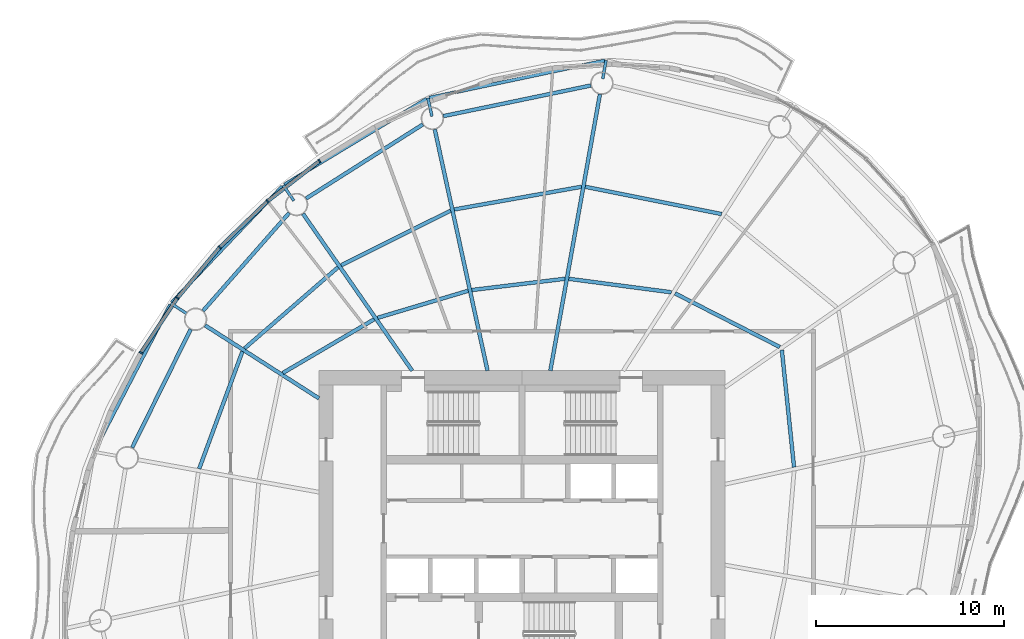
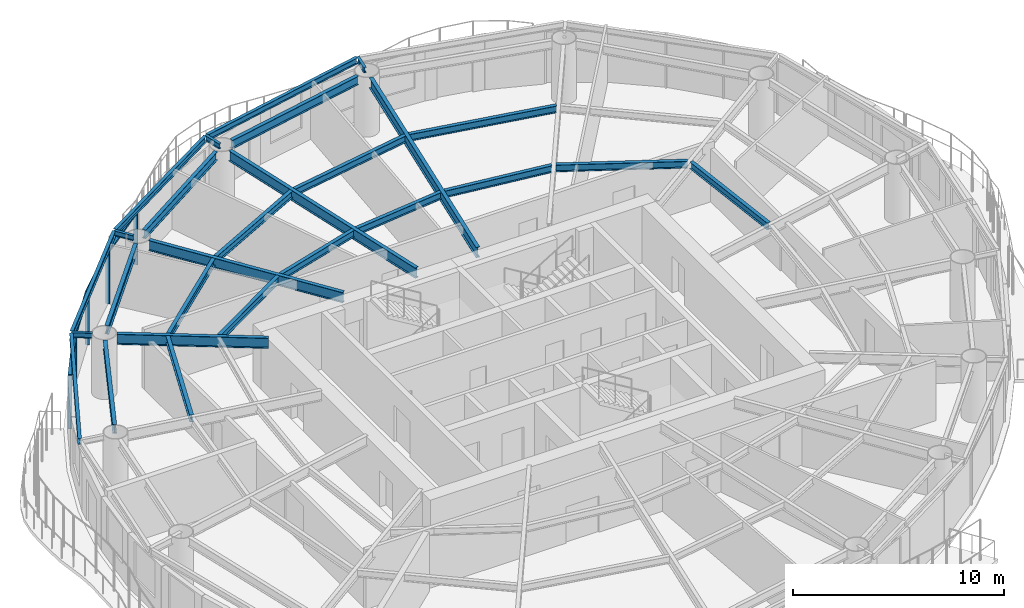
# One storey, part 5 of 15: 27 beams, 9 members, 4 elements without a shape of their own.
"""IFC4 building model written with IfcOpenShell, lengths in metres."""

from ifc_helpers import new_model, si_unit, direction, frame, origin, origin_2d, place, context, subcontext, project, spatial, rectangle, i_section, extrude, material, material_profile, profile_set, type_object, element, aggregate, save


model = new_model("IFC4")

# Units and contexts
model_context = context("Model", 3, precision=1e-05, world=origin(), true_north=direction((0.0, 1.0)))
body_context = subcontext(model_context, "Body", "Model", "MODEL_VIEW")
ifc_project = project(units=[si_unit("LENGTHUNIT", "METRE"), si_unit("AREAUNIT", "SQUARE_METRE"), si_unit("VOLUMEUNIT", "CUBIC_METRE"), si_unit("PLANEANGLEUNIT", "RADIAN"), si_unit("MASSUNIT", "GRAM", prefix="KILO")], contexts=[model_context])

# Site, building, storey
site_placement = place(None, origin())
site = spatial("IfcSite", under=ifc_project, at=site_placement, CompositionType="ELEMENT")
building_placement = place(site_placement, origin())
building = spatial("IfcBuilding", under=site, at=building_placement, Name="Vermilion Reach Broadcast Tower", CompositionType="ELEMENT")
storey_placement = place(building_placement, frame((0.0, 0.0, 220.89990234375)))
storey = spatial("IfcBuildingStorey", under=building, at=storey_placement, Name="L54", CompositionType="ELEMENT", Elevation=220.89990234375)

# Beams
ifc_material_1 = material(Name="Steel S355J2", Category="steel")
ifc_material_profile_1 = material_profile(ifc_material_1, i_section(OverallWidth=0.175048828125, OverallDepth=0.35009765625, WebThickness=0.007080078125, FlangeThickness=0.010986328125, at=origin_2d()), Name="S355J2 HN 350x175x7x11")
ifc_profile_set_1 = profile_set([ifc_material_profile_1], Name="Steel S355J2")
beam_type_1 = type_object("IfcBeamType", Name="EB4 HN 350x175x7x11", PredefinedType="BEAM", material=ifc_profile_set_1)
beam_1_placement = place(storey_placement, frame((-1.611083984375, 24.891357421875, 3.275146484375), z_axis=(-0.978274611943, -0.207313250006, 0.0), x_axis=(0.207313250006, -0.978274611943, 0.0)))
element("IfcBeam", 1, at=beam_1_placement, inside=storey, type_object=beam_type_1, Name="Edge beam EB4-02", PredefinedType="BEAM", context=body_context, shape_type="SweptSolid", body=[
    extrude(i_section(OverallWidth=0.175048828125, OverallDepth=0.35009765625, WebThickness=0.007080078125, FlangeThickness=0.010986328125, at=origin_2d()), origin(), (0.0, 0.0, 1.0), 9.5283203125),
])
beam_2_placement = place(storey_placement, frame((-11.073486328125, 22.859619140625, 3.275146484375), z_axis=(-0.85635221308, -0.516392183474, 0.0), x_axis=(0.516392183474, -0.85635221308, 0.0)))
element("IfcBeam", 2, at=beam_2_placement, inside=storey, type_object=beam_type_1, Name="Edge beam EB4-03", PredefinedType="BEAM", context=body_context, shape_type="SweptSolid", body=[
    extrude(i_section(OverallWidth=0.175048828125, OverallDepth=0.35009765625, WebThickness=0.007080078125, FlangeThickness=0.010986328125, at=origin_2d()), origin(), (0.0, 0.0, 1.0), 8.83544921875),
])
beam_3_placement = place(storey_placement, frame((-18.7568359375, 18.202880859375, 3.275146484375), z_axis=(-0.689417470557, -0.724364239378, 0.0), x_axis=(0.724364239378, -0.689417470557, 0.0)))
element("IfcBeam", 3, at=beam_3_placement, inside=storey, type_object=beam_type_1, Name="Edge beam EB4-04", PredefinedType="BEAM", context=body_context, shape_type="SweptSolid", body=[
    extrude(i_section(OverallWidth=0.175048828125, OverallDepth=0.35009765625, WebThickness=0.007080078125, FlangeThickness=0.010986328125, at=origin_2d()), origin(), (0.0, 0.0, 1.0), 8.51611328125),
])
beam_4_placement = place(storey_placement, frame((-24.71533203125, 11.912109375, 3.275146484375), z_axis=(-0.460485150678, -0.887667407313, 0.0), x_axis=(0.887667407313, -0.460485150678, 0.0)))
element("IfcBeam", 4, at=beam_4_placement, inside=storey, type_object=beam_type_1, Name="Edge beam EB4-05", PredefinedType="BEAM", context=body_context, shape_type="SweptSolid", body=[
    extrude(i_section(OverallWidth=0.175048828125, OverallDepth=0.35009765625, WebThickness=0.007080078125, FlangeThickness=0.010986328125, at=origin_2d()), origin(), (0.0, 0.0, 1.0), 8.738525390625),
])
ifc_material_2 = material(Name="Steel S355J2", Category="steel")
ifc_material_profile_2 = material_profile(ifc_material_2, i_section(OverallWidth=0.199951171875, OverallDepth=0.60009765625, WebThickness=0.010986328125, FlangeThickness=0.01708984375, at=origin_2d()), Name="S355J2 HN 600x200x11x17")
ifc_profile_set_2 = profile_set([ifc_material_profile_2], Name="Steel S355J2")
beam_type_2 = type_object("IfcBeamType", Name="G4 HN 600x200x11x17", PredefinedType="BEAM", material=ifc_profile_set_2)
beam_5_placement = place(storey_placement, frame((-4.4931640625, 8.39990234375, 3.150146484375), z_axis=(0.176574729047, 0.984287237072, 0.0), x_axis=(-0.984287237072, 0.176574729047, 0.0)))
element("IfcBeam", 5, at=beam_5_placement, inside=storey, type_object=beam_type_2, Name="Girder G4-02", PredefinedType="BEAM", context=body_context, shape_type="SweptSolid", body=[
    extrude(i_section(OverallWidth=0.199951171875, OverallDepth=0.60009765625, WebThickness=0.010986328125, FlangeThickness=0.01708984375, at=origin_2d()), origin(), (0.0, 0.0, 1.0), 14.935302734375),
])
beam_6_placement = place(storey_placement, frame((-7.836181640625, 8.39990234375, 3.150146484375), z_axis=(-0.213538346548, 0.976934682849, 0.0), x_axis=(-0.976934682849, -0.213538346548, 0.0)))
element("IfcBeam", 6, at=beam_6_placement, inside=storey, type_object=beam_type_2, Name="Girder G4-03", PredefinedType="BEAM", context=body_context, shape_type="SweptSolid", body=[
    extrude(i_section(OverallWidth=0.199951171875, OverallDepth=0.60009765625, WebThickness=0.010986328125, FlangeThickness=0.01708984375, at=origin_2d()), origin(), (0.0, 0.0, 1.0), 13.135498046875),
])
beam_7_placement = place(storey_placement, frame((-11.8447265625, 8.39990234375, 3.150146484375), z_axis=(-0.571134149017, 0.8208567377, 0.0), x_axis=(-0.8208567377, -0.571134149017, 0.0)))
element("IfcBeam", 7, at=beam_7_placement, inside=storey, type_object=beam_type_2, Name="Girder G4-04", PredefinedType="BEAM", context=body_context, shape_type="SweptSolid", body=[
    extrude(i_section(OverallWidth=0.199951171875, OverallDepth=0.60009765625, WebThickness=0.010986328125, FlangeThickness=0.01708984375, at=origin_2d()), origin(), (0.0, 0.0, 1.0), 10.16552734375),
])
beam_8_placement = place(storey_placement, frame((-16.800048828125, 6.925537109375, 3.150146484375), z_axis=(-0.841798504642, 0.539791883584, 0.0), x_axis=(-0.539791883584, -0.841798504642, 0.0)))
element("IfcBeam", 8, at=beam_8_placement, inside=storey, type_object=beam_type_2, Name="Girder G4-05", PredefinedType="BEAM", context=body_context, shape_type="SweptSolid", body=[
    extrude(i_section(OverallWidth=0.199951171875, OverallDepth=0.60009765625, WebThickness=0.010986328125, FlangeThickness=0.01708984375, at=origin_2d()), origin(), (0.0, 0.0, 1.0), 7.1962890625),
])
ifc_material_3 = material(Name="Steel S355J2", Category="steel")
ifc_material_profile_3 = material_profile(ifc_material_3, i_section(OverallWidth=0.14990234375, OverallDepth=0.300048828125, WebThickness=0.006591796875, FlangeThickness=0.009033203125, at=origin_2d()), Name="S355J2 HN 300x150x6.5x9")
ifc_profile_set_3 = profile_set([ifc_material_profile_3], Name="Steel S355J2")
beam_type_3 = type_object("IfcBeamType", Name="GS4 HN 300x150x6.5x9", PredefinedType="BEAM", material=ifc_profile_set_3)
beam_9_placement = place(storey_placement, frame((-1.708251953125, 23.923828125, 3.300048828125), z_axis=(0.176500327456, 0.984300581331, 0.0), x_axis=(-0.984300581331, 0.176500327456, 0.0)))
element("IfcBeam", 9, at=beam_9_placement, inside=storey, type_object=beam_type_3, Name="Cantilever stub GS4-02", PredefinedType="BEAM", context=body_context, shape_type="SweptSolid", body=[
    extrude(i_section(OverallWidth=0.14990234375, OverallDepth=0.300048828125, WebThickness=0.006591796875, FlangeThickness=0.009033203125, at=origin_2d()), origin(), (0.0, 0.0, 1.0), 1.0),
])
beam_10_placement = place(storey_placement, frame((-10.792236328125, 21.923583984375, 3.300048828125), z_axis=(-0.213412866055, 0.976962101927, 0.0), x_axis=(-0.976962101927, -0.213412866055, 0.0)))
element("IfcBeam", 10, at=beam_10_placement, inside=storey, type_object=beam_type_3, Name="Cantilever stub GS4-03", PredefinedType="BEAM", context=body_context, shape_type="SweptSolid", body=[
    extrude(i_section(OverallWidth=0.14990234375, OverallDepth=0.300048828125, WebThickness=0.006591796875, FlangeThickness=0.009033203125, at=origin_2d()), origin(), (0.0, 0.0, 1.0), 0.999755859375),
])
for number, where, z_axis, x_axis, name in (
    (11, (-18.1328125, 17.4375, 3.300048828125), (-0.571264751294, 0.820765852073, 0.0), (-0.820765852073, -0.571264751294, 0.0), "Cantilever stub GS4-04"),
    (12, (-23.8388671875, 11.439208984375, 3.300048828125), (-0.841796649213, 0.539794777091, 0.0), (-0.539794777091, -0.841796649213, 0.0), "Cantilever stub GS4-05"),
):
    element("IfcBeam", number, at=place(storey_placement, frame(where, z_axis=z_axis, x_axis=x_axis)), inside=storey, type_object=beam_type_3, Name=name, PredefinedType="BEAM", context=body_context, shape_type="SweptSolid", body=[
        extrude(i_section(OverallWidth=0.14990234375, OverallDepth=0.300048828125, WebThickness=0.006591796875, FlangeThickness=0.009033203125, at=origin_2d()), origin(), (0.0, 0.0, 1.0), 1.0),
    ])
ifc_material_4 = material(Name="Steel S355J2", Category="steel")
ifc_material_profile_4 = material_profile(ifc_material_4, i_section(OverallWidth=0.199951171875, OverallDepth=0.5, WebThickness=0.010009765625, FlangeThickness=0.01611328125, at=origin_2d()), Name="S355J2 HN 500x200x10x16")
ifc_profile_set_4 = profile_set([ifc_material_profile_4], Name="Steel S355J2")
beam_type_4 = type_object("IfcBeamType", Name="RB4 HN 500x200x10x16", PredefinedType="BEAM", material=ifc_profile_set_4)
beam_11_placement = place(storey_placement, frame((-2.337646484375, 23.569091796875, 3.2001953125), z_axis=(-0.97912342484, -0.203266620302, 0.0), x_axis=(0.203266620302, -0.97912342484, 0.0)))
element("IfcBeam", 13, at=beam_11_placement, inside=storey, type_object=beam_type_4, Name="Ring beam RB4-02", PredefinedType="BEAM", context=body_context, shape_type="SweptSolid", body=[
    extrude(i_section(OverallWidth=0.199951171875, OverallDepth=0.5, WebThickness=0.010009765625, FlangeThickness=0.01611328125, at=origin_2d()), origin(), (0.0, 0.0, 1.0), 8.01123046875),
])
beam_12_placement = place(storey_placement, frame((-11.27587890625, 21.497314453125, 3.2001953125), z_axis=(-0.84446426774, -0.535611893549, 0.0), x_axis=(0.535611893549, -0.84446426774, 0.0)))
element("IfcBeam", 14, at=beam_12_placement, inside=storey, type_object=beam_type_4, Name="Ring beam RB4-03", PredefinedType="BEAM", context=body_context, shape_type="SweptSolid", body=[
    extrude(i_section(OverallWidth=0.199951171875, OverallDepth=0.5, WebThickness=0.010009765625, FlangeThickness=0.01611328125, at=origin_2d()), origin(), (0.0, 0.0, 1.0), 7.3544921875),
])
beam_13_placement = place(storey_placement, frame((-18.3896484375, 16.786376953125, 3.2001953125), z_axis=(-0.660565141761, -0.750768735024, 0.0), x_axis=(0.750768735024, -0.660565141761, 0.0)))
element("IfcBeam", 15, at=beam_13_placement, inside=storey, type_object=beam_type_4, Name="Ring beam RB4-04", PredefinedType="BEAM", context=body_context, shape_type="SweptSolid", body=[
    extrude(i_section(OverallWidth=0.199951171875, OverallDepth=0.5, WebThickness=0.010009765625, FlangeThickness=0.01611328125, at=origin_2d()), origin(), (0.0, 0.0, 1.0), 6.9287109375),
])
beam_14_placement = place(storey_placement, frame((-23.628662109375, 10.595947265625, 3.2001953125), z_axis=(-0.442977497199, -0.896532730566, 0.0), x_axis=(0.896532730566, -0.442977497199, 0.0)))
element("IfcBeam", 16, at=beam_14_placement, inside=storey, type_object=beam_type_4, Name="Ring beam RB4-05", PredefinedType="BEAM", context=body_context, shape_type="SweptSolid", body=[
    extrude(i_section(OverallWidth=0.199951171875, OverallDepth=0.5, WebThickness=0.010009765625, FlangeThickness=0.01611328125, at=origin_2d()), origin(), (0.0, 0.0, 1.0), 7.0166015625),
])
ifc_material_5 = material(Name="Steel S355J2", Category="steel")
ifc_material_profile_5 = material_profile(ifc_material_5, i_section(OverallWidth=0.199951171875, OverallDepth=0.39990234375, WebThickness=0.008056640625, FlangeThickness=0.012939453125, at=origin_2d()), Name="S355J2 HN 400x200x8x13")
ifc_profile_set_5 = profile_set([ifc_material_profile_5], Name="Steel S355J2")
beam_type_5 = type_object("IfcBeamType", Name="SB4 HN 400x200x8x13", PredefinedType="BEAM", material=ifc_profile_set_5)
beam_15_placement = place(storey_placement, frame((1.94140625, 12.5693359375, 3.25), z_axis=(-0.991458070019, 0.130425823341, 0.0), x_axis=(-0.130425823341, -0.991458070019, 0.0)))
element("IfcBeam", 17, at=beam_15_placement, inside=storey, type_object=beam_type_5, Name="Secondary beam SB4-01-1", PredefinedType="BEAM", context=body_context, shape_type="SweptSolid", body=[
    extrude(i_section(OverallWidth=0.199951171875, OverallDepth=0.39990234375, WebThickness=0.008056640625, FlangeThickness=0.012939453125, at=origin_2d()), origin(), (0.0, 0.0, 1.0), 5.50341796875),
])
beam_16_placement = place(storey_placement, frame((4.60986328125, 16.73095703125, 3.25), z_axis=(-0.9805717807, 0.196160604851, 0.0), x_axis=(-0.196160604851, -0.9805717807, 0.0)))
element("IfcBeam", 18, at=beam_16_placement, inside=storey, type_object=beam_type_5, Name="Secondary beam SB4-01-2", PredefinedType="BEAM", context=body_context, shape_type="SweptSolid", body=[
    extrude(i_section(OverallWidth=0.199951171875, OverallDepth=0.39990234375, WebThickness=0.008056640625, FlangeThickness=0.012939453125, at=origin_2d()), origin(), (0.0, 0.0, 1.0), 7.390380859375),
])
beam_17_placement = place(storey_placement, frame((-3.718017578125, 13.28759765625, 3.25), z_axis=(-0.99278788328, -0.119884189168, 0.0), x_axis=(0.119884189168, -0.99278788328, 0.0)))
element("IfcBeam", 19, at=beam_17_placement, inside=storey, type_object=beam_type_5, Name="Secondary beam SB4-02-1", PredefinedType="BEAM", context=body_context, shape_type="SweptSolid", body=[
    extrude(i_section(OverallWidth=0.199951171875, OverallDepth=0.39990234375, WebThickness=0.008056640625, FlangeThickness=0.012939453125, at=origin_2d()), origin(), (0.0, 0.0, 1.0), 4.9892578125),
])
beam_18_placement = place(storey_placement, frame((-2.840087890625, 18.181640625, 3.25), z_axis=(-0.984415281892, -0.175859468829, 0.0), x_axis=(0.175859468829, -0.984415281892, 0.0)))
element("IfcBeam", 20, at=beam_18_placement, inside=storey, type_object=beam_type_5, Name="Secondary beam SB4-02-2", PredefinedType="BEAM", context=body_context, shape_type="SweptSolid", body=[
    extrude(i_section(OverallWidth=0.199951171875, OverallDepth=0.39990234375, WebThickness=0.008056640625, FlangeThickness=0.012939453125, at=origin_2d()), origin(), (0.0, 0.0, 1.0), 6.874755859375),
])
beam_19_placement = place(storey_placement, frame((-8.8671875, 12.64892578125, 3.25), z_axis=(-0.958173460215, -0.28618808525, 0.0), x_axis=(0.28618808525, -0.958173460215, 0.0)))
element("IfcBeam", 21, at=beam_19_placement, inside=storey, type_object=beam_type_5, Name="Secondary beam SB4-03-1", PredefinedType="BEAM", context=body_context, shape_type="SweptSolid", body=[
    extrude(i_section(OverallWidth=0.199951171875, OverallDepth=0.39990234375, WebThickness=0.008056640625, FlangeThickness=0.012939453125, at=origin_2d()), origin(), (0.0, 0.0, 1.0), 5.02197265625),
])
beam_20_placement = place(storey_placement, frame((-9.79833984375, 16.908935546875, 3.25), z_axis=(-0.895183615542, -0.445697536974, 0.0), x_axis=(0.445697536974, -0.895183615542, 0.0)))
element("IfcBeam", 22, at=beam_20_placement, inside=storey, type_object=beam_type_5, Name="Secondary beam SB4-03-2", PredefinedType="BEAM", context=body_context, shape_type="SweptSolid", body=[
    extrude(i_section(OverallWidth=0.199951171875, OverallDepth=0.39990234375, WebThickness=0.008056640625, FlangeThickness=0.012939453125, at=origin_2d()), origin(), (0.0, 0.0, 1.0), 6.508544921875),
])
beam_21_placement = place(storey_placement, frame((-13.866455078125, 11.130615234375, 3.25), z_axis=(-0.862172572268, -0.506614701356, 0.0), x_axis=(0.506614701356, -0.862172572268, 0.0)))
element("IfcBeam", 23, at=beam_21_placement, inside=storey, type_object=beam_type_5, Name="Secondary beam SB4-04-1", PredefinedType="BEAM", context=body_context, shape_type="SweptSolid", body=[
    extrude(i_section(OverallWidth=0.199951171875, OverallDepth=0.39990234375, WebThickness=0.008056640625, FlangeThickness=0.012939453125, at=origin_2d()), origin(), (0.0, 0.0, 1.0), 5.632568359375),
])
beam_22_placement = place(storey_placement, frame((-15.791259765625, 13.89697265625, 3.25), z_axis=(-0.755129308567, -0.655575874589, 0.0), x_axis=(0.655575874589, -0.755129308567, 0.0)))
element("IfcBeam", 24, at=beam_22_placement, inside=storey, type_object=beam_type_5, Name="Secondary beam SB4-04-2", PredefinedType="BEAM", context=body_context, shape_type="SweptSolid", body=[
    extrude(i_section(OverallWidth=0.199951171875, OverallDepth=0.39990234375, WebThickness=0.008056640625, FlangeThickness=0.012939453125, at=origin_2d()), origin(), (0.0, 0.0, 1.0), 6.57958984375),
])
beam_23_placement = place(storey_placement, frame((-20.8740234375, 9.419189453125, 3.25), z_axis=(-0.345833008621, -0.938296078084, 0.0), x_axis=(0.938296078084, -0.345833008621, 0.0)))
element("IfcBeam", 25, at=beam_23_placement, inside=storey, type_object=beam_type_5, Name="Secondary beam SB4-05-2", PredefinedType="BEAM", context=body_context, shape_type="SweptSolid", body=[
    extrude(i_section(OverallWidth=0.199951171875, OverallDepth=0.39990234375, WebThickness=0.008056640625, FlangeThickness=0.012939453125, at=origin_2d()), origin(), (0.0, 0.0, 1.0), 6.647216796875),
])
beam_24_placement = place(storey_placement, frame((8.46875, 3.264892578125, 3.25), z_axis=(-0.103532173355, 0.994626105167, 0.0), x_axis=(-0.994626105167, -0.103532173355, 0.0)))
element("IfcBeam", 26, at=beam_24_placement, inside=storey, type_object=beam_type_5, Name="Secondary beam SB4-15-1", PredefinedType="BEAM", context=body_context, shape_type="SweptSolid", body=[
    extrude(i_section(OverallWidth=0.199951171875, OverallDepth=0.39990234375, WebThickness=0.008056640625, FlangeThickness=0.012939453125, at=origin_2d()), origin(), (0.0, 0.0, 1.0), 6.26318359375),
])
beam_25_placement = place(storey_placement, frame((7.707763671875, 9.659423828125, 3.25), z_axis=(-0.89015575218, 0.455656380249, 0.0), x_axis=(-0.455656380249, -0.89015575218, 0.0)))
element("IfcBeam", 27, at=beam_25_placement, inside=storey, type_object=beam_type_5, Name="Secondary beam SB4-16-1", PredefinedType="BEAM", context=body_context, shape_type="SweptSolid", body=[
    extrude(i_section(OverallWidth=0.199951171875, OverallDepth=0.39990234375, WebThickness=0.008056640625, FlangeThickness=0.012939453125, at=origin_2d()), origin(), (0.0, 0.0, 1.0), 6.25439453125),
])

# Curtain wall, member
ifc_material_6 = material(Name="Low-e laminated clear glass in aluminium frame", Category="aluminium")
curtain_wall_type = type_object("IfcCurtainWallType", Name="Slot curtain wall", PredefinedType="NOTDEFINED", material=ifc_material_6)
placement = place(storey_placement, origin())
curtain_wall_1 = element("IfcCurtainWall", 28, at=placement, inside=storey, type_object=curtain_wall_type, Name="Slot curtain wall L54 10", PredefinedType="NOTDEFINED")
ifc_material_7 = material(Name="Anodised aluminium", Category="aluminium")
ifc_material_profile_6 = material_profile(ifc_material_7, rectangle(XDim=0.199951171875, YDim=0.080078125, at=origin_2d()), Name="Slot mullion 80 x 200")
ifc_profile_set_6 = profile_set([ifc_material_profile_6], Name="Anodised aluminium")
member_type_1 = type_object("IfcMemberType", Name="Slot mullion 80 x 200", PredefinedType="MULLION", material=ifc_profile_set_6)
member_1_placement = place(storey_placement, frame((-16.773681640625, 19.552001953125, 0.0), z_axis=(0.0, 0.0, 1.0), x_axis=(0.56840400229, -0.822749591419, 0.0)))
member_1 = element("IfcMember", 29, at=member_1_placement, type_object=member_type_1, Name="Slot mullion L54 10", PredefinedType="MULLION", context=body_context, shape_type="SweptSolid", body=[
    extrude(rectangle(XDim=0.199951171875, YDim=0.080078125, at=origin_2d()), origin(), (0.0, 0.0, 1.0), 3.10009765625),
])

curtain_wall_2 = element("IfcCurtainWall", 30, at=placement, inside=storey, type_object=curtain_wall_type, Name="Slot curtain wall L54 11", PredefinedType="NOTDEFINED")
member_2_placement = place(storey_placement, frame((-19.53857421875, 17.408447265625, 0.0), z_axis=(0.0, 0.0, 1.0), x_axis=(0.654398669834, -0.756149708007, 0.0)))
member_2 = element("IfcMember", 31, at=member_2_placement, type_object=member_type_1, Name="Slot mullion L54 11", PredefinedType="MULLION", context=body_context, shape_type="SweptSolid", body=[
    extrude(rectangle(XDim=0.199951171875, YDim=0.080078125, at=origin_2d()), origin(), (0.0, 0.0, 1.0), 3.10009765625),
])

curtain_wall_3 = element("IfcCurtainWall", 32, at=placement, inside=storey, type_object=curtain_wall_type, Name="Slot curtain wall L54 12", PredefinedType="NOTDEFINED")
member_3_placement = place(storey_placement, frame((-22.0712890625, 14.9658203125, 0.0), z_axis=(0.0, 0.0, 1.0), x_axis=(0.731829657842, -0.681487602164, 0.0)))
member_3 = element("IfcMember", 33, at=member_3_placement, type_object=member_type_1, Name="Slot mullion L54 12", PredefinedType="MULLION", context=body_context, shape_type="SweptSolid", body=[
    extrude(rectangle(XDim=0.199951171875, YDim=0.080078125, at=origin_2d()), origin(), (0.0, 0.0, 1.0), 3.10009765625),
])

# Curtain wall, members
curtain_wall_4 = element("IfcCurtainWall", 34, at=placement, inside=storey, type_object=curtain_wall_type, Name="Slot curtain wall L54 13", PredefinedType="NOTDEFINED")
member_4_placement = place(storey_placement, frame((-24.32763671875, 12.265869140625, 0.0), z_axis=(0.0, 0.0, 1.0), x_axis=(0.800793288516, -0.598940822675, 0.0)))
member_4 = element("IfcMember", 35, at=member_4_placement, type_object=member_type_1, Name="Slot mullion L54 13", PredefinedType="MULLION", context=body_context, shape_type="SweptSolid", body=[
    extrude(rectangle(XDim=0.199951171875, YDim=0.080078125, at=origin_2d()), origin(), (0.0, 0.0, 1.0), 3.10009765625),
])
member_5_placement = place(storey_placement, frame((-26.268798828125, 9.355224609375, 0.0), z_axis=(0.0, 0.0, 1.0), x_axis=(0.861106014794, -0.508425443193, 0.0)))
member_5 = element("IfcMember", 36, at=member_5_placement, type_object=member_type_1, Name="Slot mullion L54 14", PredefinedType="MULLION", context=body_context, shape_type="SweptSolid", body=[
    extrude(rectangle(XDim=0.199951171875, YDim=0.080078125, at=origin_2d()), origin(), (0.0, 0.0, 1.0), 3.10009765625),
])

# Member
ifc_material_8 = material(Name="Anodised aluminium", Category="aluminium")
ifc_material_profile_7 = material_profile(ifc_material_8, rectangle(XDim=0.199951171875, YDim=0.10009765625, at=origin_2d()), Name="Slot transom 200 x 100")
ifc_profile_set_7 = profile_set([ifc_material_profile_7], Name="Anodised aluminium")
member_type_2 = type_object("IfcMemberType", Name="Slot transom 200 x 100", PredefinedType="USERDEFINED", material=ifc_profile_set_7)
member_6_placement = place(storey_placement, frame((-16.80517578125, 19.52734375, 3.050048828125), z_axis=(-0.790343297717, -0.612664240636, 0.0), x_axis=(0.612664240636, -0.790343297717, 0.0)))
member_6 = element("IfcMember", 37, at=member_6_placement, type_object=member_type_2, Name="Slot transom L54 10.1", ObjectType="TRANSOM", PredefinedType="USERDEFINED", context=body_context, shape_type="SweptSolid", body=[
    extrude(rectangle(XDim=0.199951171875, YDim=0.10009765625, at=origin_2d()), origin(), (0.0, 0.0, 1.0), 3.418701171875),
])

aggregate(curtain_wall_1, [member_1, member_6])

member_7_placement = place(storey_placement, frame((-19.5673828125, 17.380615234375, 3.050048828125), z_axis=(-0.719770807051, -0.694211772672, 0.0), x_axis=(0.694211772672, -0.719770807051, 0.0)))
member_7 = element("IfcMember", 38, at=member_7_placement, type_object=member_type_2, Name="Slot transom L54 11.1", ObjectType="TRANSOM", PredefinedType="USERDEFINED", context=body_context, shape_type="SweptSolid", body=[
    extrude(rectangle(XDim=0.199951171875, YDim=0.10009765625, at=origin_2d()), origin(), (0.0, 0.0, 1.0), 3.438720703125),
])

aggregate(curtain_wall_2, [member_2, member_7])

member_8_placement = place(storey_placement, frame((-22.096923828125, 14.93505859375, 3.050048828125), z_axis=(-0.641245252484, -0.767335993008, 0.0), x_axis=(0.767335993008, -0.641245252484, 0.0)))
member_8 = element("IfcMember", 39, at=member_8_placement, type_object=member_type_2, Name="Slot transom L54 12.1", ObjectType="TRANSOM", PredefinedType="USERDEFINED", context=body_context, shape_type="SweptSolid", body=[
    extrude(rectangle(XDim=0.199951171875, YDim=0.10009765625, at=origin_2d()), origin(), (0.0, 0.0, 1.0), 3.438720703125),
])

aggregate(curtain_wall_3, [member_3, member_8])

member_9_placement = place(storey_placement, frame((-24.349853515625, 12.232421875, 3.050048828125), z_axis=(-0.554848517658, -0.831951394285, 0.0), x_axis=(0.831951394285, -0.554848517658, 0.0)))
member_9 = element("IfcMember", 40, at=member_9_placement, type_object=member_type_2, Name="Slot transom L54 13.1", ObjectType="TRANSOM", PredefinedType="USERDEFINED", context=body_context, shape_type="SweptSolid", body=[
    extrude(rectangle(XDim=0.199951171875, YDim=0.10009765625, at=origin_2d()), origin(), (0.0, 0.0, 1.0), 3.41845703125),
])

aggregate(curtain_wall_4, [member_4, member_5, member_9])

save(model, "model.ifc")
